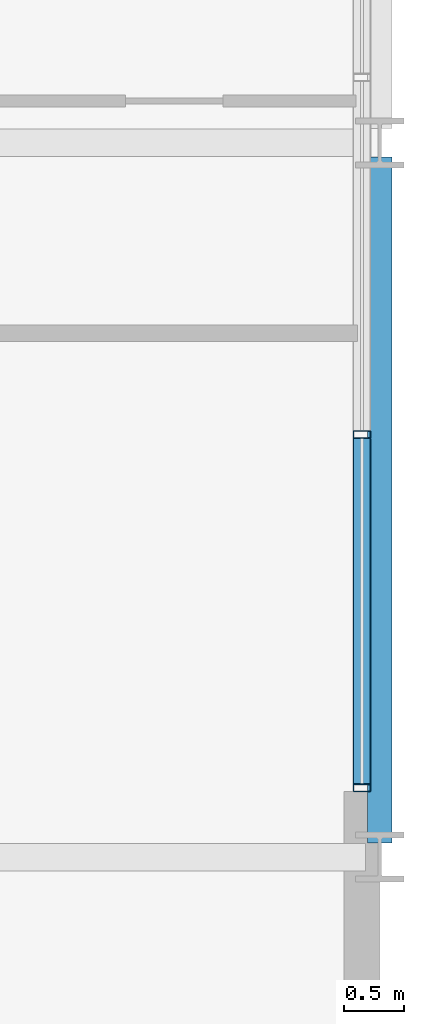
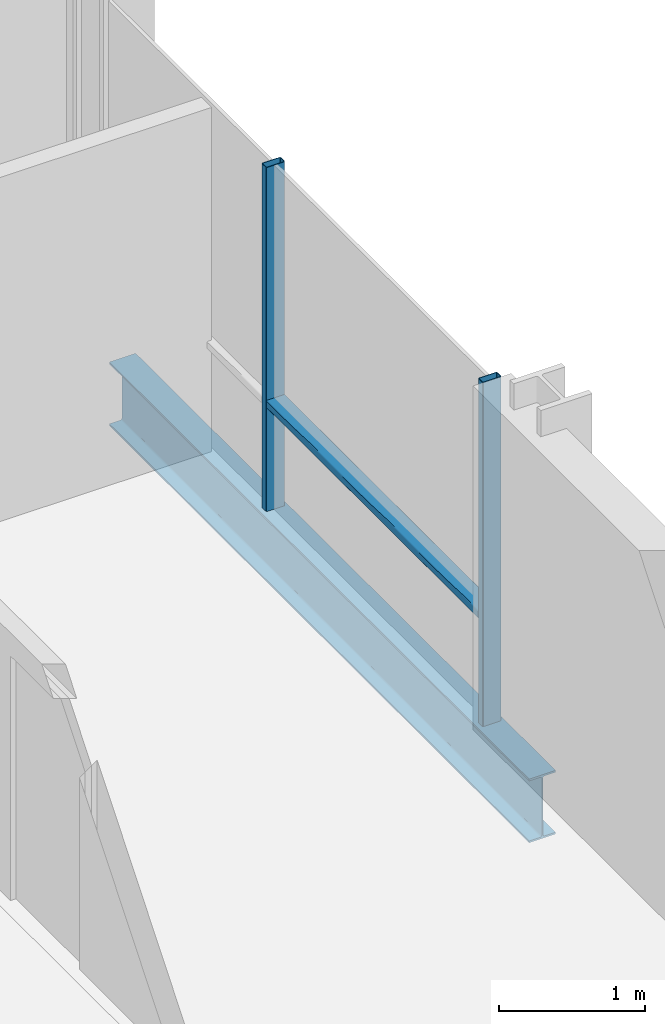
# One storey, part 17 of 41: 3 members, 1 beam, 1 element without a shape of its own.
"""IFC4 building model written with IfcOpenShell, lengths in metres."""

from ifc_helpers import new_model, si_unit, direction, frame, origin, origin_2d, place, context, subcontext, project, spatial, hollow_rectangle, i_section, extrude, material, layer, layer_set, material_profile, profile_set, type_object, element, aggregate, save


model = new_model("IFC4")

# Units and contexts
model_context = context("Model", 3, precision=1e-05, world=origin(), true_north=direction((0.0, 1.0)))
body_context = subcontext(model_context, "Body", "Model", "MODEL_VIEW")
ifc_project = project(units=[si_unit("LENGTHUNIT", "METRE"), si_unit("AREAUNIT", "SQUARE_METRE"), si_unit("VOLUMEUNIT", "CUBIC_METRE"), si_unit("PLANEANGLEUNIT", "RADIAN"), si_unit("MASSUNIT", "GRAM", prefix="KILO")], contexts=[model_context])

# Site, building, storey
site_placement = place(None, origin())
site = spatial("IfcSite", under=ifc_project, at=site_placement, CompositionType="ELEMENT")
building_placement = place(site_placement, origin())
building = spatial("IfcBuilding", under=site, at=building_placement, Name="Brevholm Reach", CompositionType="ELEMENT")
storey_placement = place(building_placement, frame((0.0, 0.0, 144.89990234375)))
storey = spatial("IfcBuildingStorey", under=building, at=storey_placement, Name="L43", CompositionType="ELEMENT", Elevation=144.89990234375)

# Beam
ifc_material_1 = material(Name="Structural Steel S355J2", Category="steel")
ifc_material_profile_1 = material_profile(ifc_material_1, i_section(OverallWidth=0.209228515625, OverallDepth=0.533203125, WebThickness=0.010009765625, FlangeThickness=0.015625, FilletRadius=0.0126953125, at=origin_2d()), Name="UKB 533x210x92")
ifc_profile_set_1 = profile_set([ifc_material_profile_1], Name="Structural Steel S355J2")
beam_type = type_object("IfcBeamType", Name="BM-SP533", PredefinedType="SPANDREL", material=ifc_profile_set_1)
beam_placement = place(storey_placement, frame((60.0, 10.1201171875, -0.486572265625), z_axis=(0.0, 1.0, 0.0), x_axis=(-1.0, 0.0, 0.0)))
element("IfcBeam", 1, at=beam_placement, inside=storey, type_object=beam_type, Name="L43 SP-02 Framing Beam", PredefinedType="SPANDREL", context=body_context, shape_type="SweptSolid", body=[
    extrude(i_section(OverallWidth=0.209228515625, OverallDepth=0.533203125, WebThickness=0.010009765625, FlangeThickness=0.015625, FilletRadius=0.0126953125, at=origin_2d()), origin(), (0.0, 0.0, 1.0), 5.759765625),
])

# Curtain wall, members
ifc_material_2 = material(Name="Dark Anodised Aluminium 6063-T6 and Solar-Control Glass", Category="aluminium")
ifc_layer = layer(ifc_material_2, 0.14990234375)
ifc_layer_set = layer_set([ifc_layer], Name="Dark Anodised Aluminium 6063-T6 and Solar-Control Glass")
curtain_wall_type = type_object("IfcCurtainWallType", Name="CW-01", PredefinedType="NOTDEFINED", material=ifc_layer_set)
curtain_wall_placement = place(storey_placement, origin())
curtain_wall = element("IfcCurtainWall", 2, at=curtain_wall_placement, inside=storey, type_object=curtain_wall_type, Name="L43 Curtain Wall CW-01", PredefinedType="NOTDEFINED")
ifc_material_3 = material(Name="Dark Anodised Aluminium 6063-T6", Category="aluminium")
ifc_material_profile_2 = material_profile(ifc_material_3, hollow_rectangle(XDim=0.06494140625, YDim=0.14990234375, WallThickness=0.0048828125, InnerFilletRadius=0.0048828125, OuterFilletRadius=0.010009765625, at=origin_2d()), Name="RHS 150x65x5")
ifc_profile_set_2 = profile_set([ifc_material_profile_2], Name="Dark Anodised Aluminium 6063-T6")
member_type_1 = type_object("IfcMemberType", Name="CWM-150", PredefinedType="MULLION", material=ifc_profile_set_2)
member_1_placement = place(storey_placement, frame((59.85009765625, 10.58251953125, 0.0), z_axis=(0.0, 0.0, 1.0), x_axis=(0.0, 1.0, 0.0)))
member_1 = element("IfcMember", 3, at=member_1_placement, type_object=member_type_1, Name="CM-150 Mullion 1", PredefinedType="MULLION", context=body_context, shape_type="SweptSolid", body=[
    extrude(hollow_rectangle(XDim=0.06494140625, YDim=0.14990234375, WallThickness=0.0048828125, InnerFilletRadius=0.0048828125, OuterFilletRadius=0.010009765625, at=origin_2d()), origin(), (0.0, 0.0, 1.0), 2.880126953125),
])
member_2_placement = place(storey_placement, frame((59.85009765625, 13.550048828125, 0.0), z_axis=(0.0, 0.0, 1.0), x_axis=(0.0, 1.0, 0.0)))
member_2 = element("IfcMember", 4, at=member_2_placement, type_object=member_type_1, Name="CM-150 Mullion 2", PredefinedType="MULLION", context=body_context, shape_type="SweptSolid", body=[
    extrude(hollow_rectangle(XDim=0.06494140625, YDim=0.14990234375, WallThickness=0.0048828125, InnerFilletRadius=0.0048828125, OuterFilletRadius=0.010009765625, at=origin_2d()), origin(), (0.0, 0.0, 1.0), 2.880126953125),
])
ifc_material_4 = material(Name="Dark Anodised Aluminium 6063-T6", Category="aluminium")
ifc_material_profile_3 = material_profile(ifc_material_4, hollow_rectangle(XDim=0.06494140625, YDim=0.14990234375, WallThickness=0.0048828125, InnerFilletRadius=0.0048828125, OuterFilletRadius=0.010009765625, at=origin_2d()), Name="RHS 150x65x5")
ifc_profile_set_3 = profile_set([ifc_material_profile_3], Name="Dark Anodised Aluminium 6063-T6")
member_type_2 = type_object("IfcMemberType", Name="CWT-150", PredefinedType="NOTDEFINED", material=ifc_profile_set_3)
member_3_placement = place(storey_placement, frame((59.85009765625, 10.614990234375, 0.900146484375), z_axis=(0.0, 1.0, 0.0), x_axis=(0.0, 0.0, 1.0)))
member_3 = element("IfcMember", 5, at=member_3_placement, type_object=member_type_2, Name="CT-150 Transom 1.1", ObjectType="TRANSOM", PredefinedType="USERDEFINED", context=body_context, shape_type="SweptSolid", body=[
    extrude(hollow_rectangle(XDim=0.06494140625, YDim=0.14990234375, WallThickness=0.0048828125, InnerFilletRadius=0.0048828125, OuterFilletRadius=0.010009765625, at=origin_2d()), origin(), (0.0, 0.0, 1.0), 2.902587890625),
])
aggregate(curtain_wall, [member_1, member_2, member_3])

save(model, "model.ifc")
